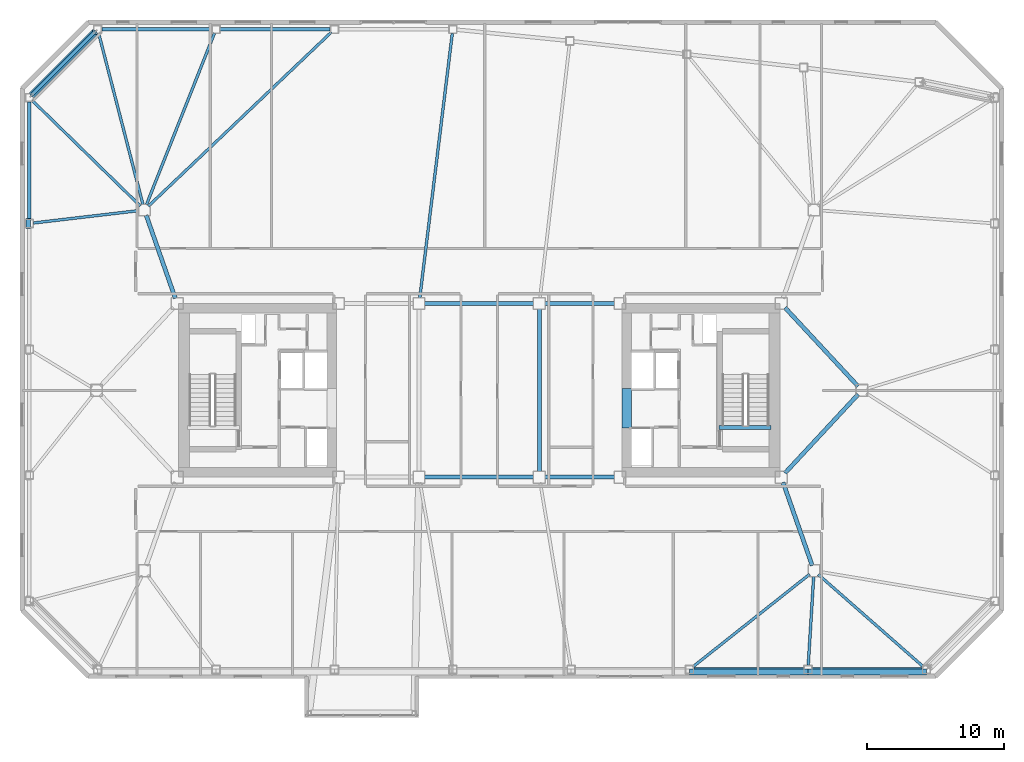
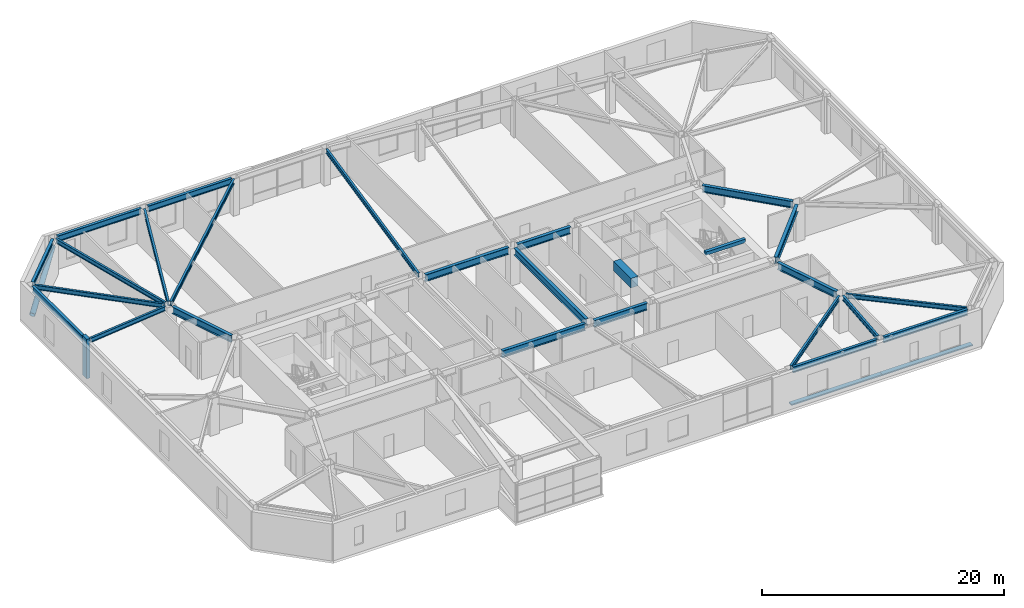
# One storey, part 6 of 19: 26 beams, 4 members.
"""IFC4 building model written with IfcOpenShell, lengths in metres."""

from ifc_helpers import new_model, si_unit, direction, frame, origin, origin_2d, place, context, subcontext, project, spatial, rectangle, hollow_circle, i_section, extrude, material, material_profile, profile_set, type_object, element, save


model = new_model("IFC4")

# Units and contexts
model_context = context("Model", 3, precision=1e-05, world=origin(), true_north=direction((0.0, 1.0)))
body_context = subcontext(model_context, "Body", "Model", "MODEL_VIEW")
ifc_project = project(units=[si_unit("LENGTHUNIT", "METRE"), si_unit("AREAUNIT", "SQUARE_METRE"), si_unit("VOLUMEUNIT", "CUBIC_METRE"), si_unit("PLANEANGLEUNIT", "RADIAN"), si_unit("MASSUNIT", "GRAM", prefix="KILO")], contexts=[model_context])

# Site, building, storey
site_placement = place(None, origin())
site = spatial("IfcSite", under=ifc_project, at=site_placement, CompositionType="ELEMENT")
building_placement = place(site_placement, origin())
building = spatial("IfcBuilding", under=site, at=building_placement, Name="Tavrogorsk Clinical Tower", CompositionType="ELEMENT")
storey_placement = place(building_placement, frame((0.0, 0.0, 156.199951171875)))
storey = spatial("IfcBuildingStorey", under=building, at=storey_placement, Name="L35", CompositionType="ELEMENT", Elevation=156.199951171875)

# Members
ifc_material_1 = material(Name="Anodised aluminium alloy AW-6063", Category="aluminium")
ifc_material_profile_1 = material_profile(ifc_material_1, rectangle(XDim=0.449951171875, YDim=0.1201171875, at=origin_2d()), Name="ALU-SUNSHADE-450x120")
ifc_profile_set_1 = profile_set([ifc_material_profile_1], Name="Anodised aluminium alloy AW-6063")
member_type_1 = type_object("IfcMemberType", Name="ChicagoSunshade_450x120", PredefinedType="USERDEFINED", material=ifc_profile_set_1)
for number, where, z_axis, x_axis, name in (
    (1, (15.394287109375, -20.60009765625, 0.179931640625), (1.0, 0.0, 0.0), (0.0, 1.0, 0.0), "L35 South Aluminium Sunshade S6"),
    (2, (24.05712890625, -20.60009765625, 0.179931640625), (1.0, 0.0, 0.0), (0.0, 1.0, 0.0), "L35 South Aluminium Sunshade S7"),
):
    element("IfcMember", number, at=place(storey_placement, frame(where, z_axis=z_axis, x_axis=x_axis)), inside=storey, type_object=member_type_1, Name=name, ObjectType="SUNSHADE", PredefinedType="USERDEFINED", context=body_context, shape_type="SweptSolid", body=[
        extrude(rectangle(XDim=0.449951171875, YDim=0.1201171875, at=origin_2d()), origin(), (0.0, 0.0, 1.0), 8.662841796875),
    ])

# Beam
ifc_material_2 = material(Name="Concrete B80", Category="concrete")
ifc_material_profile_2 = material_profile(ifc_material_2, rectangle(XDim=0.699951171875, YDim=0.949951171875, at=origin_2d()), Name="RC-CB-700x950")
ifc_profile_set_2 = profile_set([ifc_material_profile_2], Name="Concrete B80")
beam_type_1 = type_object("IfcBeamType", Name="CouplingBeam_RC700x950", PredefinedType="LINTEL", material=ifc_profile_set_2)
beam_1_placement = place(storey_placement, frame((10.800048828125, -2.75, 3.26513671875), z_axis=(0.0, 1.0, 0.0), x_axis=(-1.0, 0.0, 0.0)))
element("IfcBeam", 3, at=beam_1_placement, inside=storey, type_object=beam_type_1, Name="L35 Core East Coupling Beam", PredefinedType="LINTEL", context=body_context, shape_type="SweptSolid", body=[
    extrude(rectangle(XDim=0.699951171875, YDim=0.949951171875, at=origin_2d()), origin(), (0.0, 0.0, 1.0), 2.89990234375),
])

# Member
ifc_material_3 = material(Name="Structural steel S440", Category="steel")
ifc_material_profile_3 = material_profile(ifc_material_3, hollow_circle(Radius=0.25390625, WallThickness=0.02001953125, at=origin_2d()), Name="CHS-508x20")
ifc_profile_set_3 = profile_set([ifc_material_profile_3], Name="Structural steel S440")
member_type_2 = type_object("IfcMemberType", Name="ExoBrace_CHS508", PredefinedType="BRACE", material=ifc_profile_set_3)
member_1_placement = place(storey_placement, frame((-32.717529296875, 21.62255859375, 0.4130859375), z_axis=(0.657758524103, 0.657758524103, 0.367025132572), x_axis=(-0.707106781187, 0.707106781187, 0.0)))
element("IfcMember", 4, at=member_1_placement, inside=storey, type_object=member_type_2, Name="L35 Corner Exoskeleton Brace N8-W1", PredefinedType="BRACE", context=body_context, shape_type="SweptSolid", body=[
    extrude(hollow_circle(Radius=0.25390625, WallThickness=0.02001953125, at=origin_2d()), origin(), (0.0, 0.0, 1.0), 6.98583984375),
])

# Beams
ifc_material_4 = material(Name="Structural steel S355", Category="steel")
ifc_material_profile_4 = material_profile(ifc_material_4, i_section(OverallWidth=0.199951171875, OverallDepth=0.449951171875, WebThickness=0.011474609375, FlangeThickness=0.01806640625, at=origin_2d()), Name="B-450x200x11.5x18")
ifc_profile_set_4 = profile_set([ifc_material_profile_4], Name="Structural steel S355")
beam_type_2 = type_object("IfcBeamType", Name="FloorBeam_B450", PredefinedType="BEAM", material=ifc_profile_set_4)
beam_2_placement = place(storey_placement, frame((24.1787109375, -13.454833984375, 3.51513671875), z_axis=(-0.783566094727, -0.621308438052, 0.0), x_axis=(0.621308438052, -0.783566094727, 0.0)))
element("IfcBeam", 5, at=beam_2_placement, inside=storey, type_object=beam_type_2, Name="L35 Radial Floor Beam S6", PredefinedType="BEAM", context=body_context, shape_type="SweptSolid", body=[
    extrude(i_section(OverallWidth=0.199951171875, OverallDepth=0.449951171875, WebThickness=0.011474609375, FlangeThickness=0.01806640625, at=origin_2d()), origin(), (0.0, 0.0, 1.0), 10.902587890625),
])
beam_3_placement = place(storey_placement, frame((24.474853515625, -13.609130859375, 3.51513671875), z_axis=(-0.061225862048, -0.998123937102, 0.0), x_axis=(0.998123937102, -0.061225862048, 0.0)))
element("IfcBeam", 6, at=beam_3_placement, inside=storey, type_object=beam_type_2, Name="L35 Radial Floor Beam S7", PredefinedType="BEAM", context=body_context, shape_type="SweptSolid", body=[
    extrude(i_section(OverallWidth=0.199951171875, OverallDepth=0.449951171875, WebThickness=0.011474609375, FlangeThickness=0.01806640625, at=origin_2d()), origin(), (0.0, 0.0, 1.0), 6.515625),
])
beam_4_placement = place(storey_placement, frame((24.80810546875, -13.470458984375, 3.51513671875), z_axis=(0.751316315352, -0.659942265874, 0.0), x_axis=(0.659942265874, 0.751316315352, 0.0)))
element("IfcBeam", 7, at=beam_4_placement, inside=storey, type_object=beam_type_2, Name="L35 Radial Floor Beam S8", PredefinedType="BEAM", context=body_context, shape_type="SweptSolid", body=[
    extrude(i_section(OverallWidth=0.199951171875, OverallDepth=0.449951171875, WebThickness=0.011474609375, FlangeThickness=0.01806640625, at=origin_2d()), origin(), (0.0, 0.0, 1.0), 10.22265625),
])
beam_5_placement = place(storey_placement, frame((-4.349853515625, 6.7568359375, 3.51513671875), z_axis=(0.122074764034, 0.992520907581, 0.0), x_axis=(-0.992520907581, 0.122074764034, 0.0)))
element("IfcBeam", 8, at=beam_5_placement, inside=storey, type_object=beam_type_2, Name="L35 Radial Floor Beam N5", PredefinedType="BEAM", context=body_context, shape_type="SweptSolid", body=[
    extrude(i_section(OverallWidth=0.199951171875, OverallDepth=0.449951171875, WebThickness=0.011474609375, FlangeThickness=0.01806640625, at=origin_2d()), origin(), (0.0, 0.0, 1.0), 19.503173828125),
])
beam_6_placement = place(storey_placement, frame((-24.202880859375, 13.482421875, 3.51513671875), z_axis=(0.724746572965, 0.689015533189, 0.0), x_axis=(-0.689015533189, 0.724746572965, 0.0)))
element("IfcBeam", 9, at=beam_6_placement, inside=storey, type_object=beam_type_2, Name="L35 Radial Floor Beam N6", PredefinedType="BEAM", context=body_context, shape_type="SweptSolid", body=[
    extrude(i_section(OverallWidth=0.199951171875, OverallDepth=0.449951171875, WebThickness=0.011474609375, FlangeThickness=0.01806640625, at=origin_2d()), origin(), (0.0, 0.0, 1.0), 18.468994140625),
])
beam_7_placement = place(storey_placement, frame((-24.348876953125, 13.5810546875, 3.51513671875), z_axis=(0.368655349184, 0.929566153384, 0.0), x_axis=(-0.929566153384, 0.368655349184, 0.0)))
element("IfcBeam", 10, at=beam_7_placement, inside=storey, type_object=beam_type_2, Name="L35 Radial Floor Beam N7", PredefinedType="BEAM", context=body_context, shape_type="SweptSolid", body=[
    extrude(i_section(OverallWidth=0.199951171875, OverallDepth=0.449951171875, WebThickness=0.011474609375, FlangeThickness=0.01806640625, at=origin_2d()), origin(), (0.0, 0.0, 1.0), 13.50390625),
])
beam_8_placement = place(storey_placement, frame((-24.602783203125, 13.596923828125, 3.51513671875), z_axis=(-0.25044015559, 0.96813208214, 0.0), x_axis=(-0.96813208214, -0.25044015559, 0.0)))
element("IfcBeam", 11, at=beam_8_placement, inside=storey, type_object=beam_type_2, Name="L35 Radial Floor Beam N8", PredefinedType="BEAM", context=body_context, shape_type="SweptSolid", body=[
    extrude(i_section(OverallWidth=0.199951171875, OverallDepth=0.449951171875, WebThickness=0.011474609375, FlangeThickness=0.01806640625, at=origin_2d()), origin(), (0.0, 0.0, 1.0), 12.937255859375),
])
beam_9_placement = place(storey_placement, frame((-24.79345703125, 13.486328125, 3.51513671875), z_axis=(-0.715551590144, 0.698559891378, 0.0), x_axis=(-0.698559891378, -0.715551590144, 0.0)))
element("IfcBeam", 12, at=beam_9_placement, inside=storey, type_object=beam_type_2, Name="L35 Radial Floor Beam W1", PredefinedType="BEAM", context=body_context, shape_type="SweptSolid", body=[
    extrude(i_section(OverallWidth=0.199951171875, OverallDepth=0.449951171875, WebThickness=0.011474609375, FlangeThickness=0.01806640625, at=origin_2d()), origin(), (0.0, 0.0, 1.0), 11.049072265625),
])
beam_10_placement = place(storey_placement, frame((-24.9072265625, 13.152099609375, 3.51513671875), z_axis=(-0.993157045518, -0.116786484397, 0.0), x_axis=(0.116786484397, -0.993157045518, 0.0)))
element("IfcBeam", 13, at=beam_10_placement, inside=storey, type_object=beam_type_2, Name="L35 Radial Floor Beam W2", PredefinedType="BEAM", context=body_context, shape_type="SweptSolid", body=[
    extrude(i_section(OverallWidth=0.199951171875, OverallDepth=0.449951171875, WebThickness=0.011474609375, FlangeThickness=0.01806640625, at=origin_2d()), origin(), (0.0, 0.0, 1.0), 7.759765625),
])

# Member
ifc_material_5 = material(Name="Precast concrete B45 with limestone cladding", Category="masonry")
ifc_material_profile_5 = material_profile(ifc_material_5, rectangle(XDim=0.320068359375, YDim=0.719970703125, at=origin_2d()), Name="LIMESTONE-FIN-320x720")
ifc_profile_set_5 = profile_set([ifc_material_profile_5], Name="Precast concrete B45 with limestone cladding")
member_type_3 = type_object("IfcMemberType", Name="LimestonePleatFin_320x720", PredefinedType="USERDEFINED", material=ifc_profile_set_5)
member_2_placement = place(storey_placement, frame((-33.0, 12.2099609375, 0.0), z_axis=(0.0, 0.0, 1.0), x_axis=(1.0, 0.0, 0.0)))
element("IfcMember", 14, at=member_2_placement, inside=storey, type_object=member_type_3, Name="L35 W Pleated Stone Fin 1", ObjectType="FIN", PredefinedType="USERDEFINED", context=body_context, shape_type="SweptSolid", body=[
    extrude(rectangle(XDim=0.320068359375, YDim=0.719970703125, at=origin_2d()), origin(), (0.0, 0.0, 1.0), 4.0),
])

# Beams
ifc_material_6 = material(Name="Structural steel S390", Category="steel")
ifc_material_profile_6 = material_profile(ifc_material_6, i_section(OverallWidth=0.300048828125, OverallDepth=0.699951171875, WebThickness=0.01708984375, FlangeThickness=0.028076171875, at=origin_2d()), Name="B-700x300x17x28")
ifc_profile_set_6 = profile_set([ifc_material_profile_6], Name="Structural steel S390")
beam_type_3 = type_object("IfcBeamType", Name="PrimaryGirder_B700", PredefinedType="USERDEFINED", material=ifc_profile_set_6)
for number, where, z_axis, x_axis, name in (
    (15, (-3.989990234375, -6.35009765625, 3.39013671875), (1.0, 0.0, 0.0), (0.0, 1.0, 0.0), "L35 Primary Spine Girder MG-03"),
    (16, (-3.989990234375, 6.35009765625, 3.39013671875), (1.0, 0.0, 0.0), (0.0, 1.0, 0.0), "L35 Primary Spine Girder MG-04"),
):
    element("IfcBeam", number, at=place(storey_placement, frame(where, z_axis=z_axis, x_axis=x_axis)), inside=storey, type_object=beam_type_3, Name=name, ObjectType="GIRDER", PredefinedType="USERDEFINED", context=body_context, shape_type="SweptSolid", body=[
        extrude(i_section(OverallWidth=0.300048828125, OverallDepth=0.699951171875, WebThickness=0.01708984375, FlangeThickness=0.028076171875, at=origin_2d()), origin(), (0.0, 0.0, 1.0), 7.97998046875),
    ])
for number, where, z_axis, x_axis, name in (
    (17, (4.81005859375, -6.35009765625, 3.39013671875), (1.0, 0.0, 0.0), (0.0, 1.0, 0.0), "L35 Primary Spine Girder MG-05"),
    (18, (4.81005859375, 6.35009765625, 3.39013671875), (1.0, 0.0, 0.0), (0.0, 1.0, 0.0), "L35 Primary Spine Girder MG-06"),
):
    element("IfcBeam", number, at=place(storey_placement, frame(where, z_axis=z_axis, x_axis=x_axis)), inside=storey, type_object=beam_type_3, Name=name, ObjectType="GIRDER", PredefinedType="USERDEFINED", context=body_context, shape_type="SweptSolid", body=[
        extrude(i_section(OverallWidth=0.300048828125, OverallDepth=0.699951171875, WebThickness=0.01708984375, FlangeThickness=0.028076171875, at=origin_2d()), origin(), (0.0, 0.0, 1.0), 5.079833984375),
    ])
beam_11_placement = place(storey_placement, frame((4.39990234375, -5.93994140625, 3.39013671875), z_axis=(0.0, 1.0, 0.0), x_axis=(-1.0, 0.0, 0.0)))
element("IfcBeam", 19, at=beam_11_placement, inside=storey, type_object=beam_type_3, Name="L35 Primary Spine Girder MG-08", ObjectType="GIRDER", PredefinedType="USERDEFINED", context=body_context, shape_type="SweptSolid", body=[
    extrude(i_section(OverallWidth=0.300048828125, OverallDepth=0.699951171875, WebThickness=0.01708984375, FlangeThickness=0.028076171875, at=origin_2d()), origin(), (0.0, 0.0, 1.0), 11.8798828125),
])
for number, where, z_axis, x_axis, name in (
    (20, (24.364501953125, -12.81298828125, 3.39013671875), (-0.330673031392, 0.94374538214, 0.0), (-0.94374538214, -0.330673031392, 0.0), "L35 Spine Link Girder OPG-2"),
    (21, (-24.364501953125, 12.81298828125, 3.39013671875), (0.330673031392, -0.94374538214, 0.0), (0.94374538214, 0.330673031392, 0.0), "L35 Spine Link Girder OPG-3"),
):
    element("IfcBeam", number, at=place(storey_placement, frame(where, z_axis=z_axis, x_axis=x_axis)), inside=storey, type_object=beam_type_3, Name=name, ObjectType="GIRDER", PredefinedType="USERDEFINED", context=body_context, shape_type="SweptSolid", body=[
        extrude(i_section(OverallWidth=0.300048828125, OverallDepth=0.699951171875, WebThickness=0.01708984375, FlangeThickness=0.028076171875, at=origin_2d()), origin(), (0.0, 0.0, 1.0), 6.43798828125),
    ])
for number, where, z_axis, x_axis, name in (
    (22, (27.720947265625, -0.30029296875, 3.39013671875), (-0.680669430215, -0.732590695253, 0.0), (0.732590695253, -0.680669430215, 0.0), "L35 Spine Link Girder OPG-7"),
    (23, (27.720947265625, 0.30029296875, 3.39013671875), (-0.680669430215, 0.732590695253, 0.0), (-0.732590695253, -0.680669430215, 0.0), "L35 Spine Link Girder OPG-8"),
):
    element("IfcBeam", number, at=place(storey_placement, frame(where, z_axis=z_axis, x_axis=x_axis)), inside=storey, type_object=beam_type_3, Name=name, ObjectType="GIRDER", PredefinedType="USERDEFINED", context=body_context, shape_type="SweptSolid", body=[
        extrude(i_section(OverallWidth=0.300048828125, OverallDepth=0.699951171875, WebThickness=0.01708984375, FlangeThickness=0.028076171875, at=origin_2d()), origin(), (0.0, 0.0, 1.0), 7.847900390625),
    ])
ifc_material_7 = material(Name="Structural steel S390", Category="steel")
ifc_material_profile_7 = material_profile(ifc_material_7, i_section(OverallWidth=0.260009765625, OverallDepth=0.60009765625, WebThickness=0.014892578125, FlangeThickness=0.02392578125, at=origin_2d()), Name="B-600x260x15x24")
ifc_profile_set_7 = profile_set([ifc_material_profile_7], Name="Structural steel S390")
beam_type_4 = type_object("IfcBeamType", Name="SpandrelBeam_B600", PredefinedType="SPANDREL", material=ifc_profile_set_7)
beam_12_placement = place(storey_placement, frame((15.702392578125, -20.419921875, 3.43994140625), z_axis=(1.0, 0.0, 0.0), x_axis=(0.0, 1.0, 0.0)))
element("IfcBeam", 24, at=beam_12_placement, inside=storey, type_object=beam_type_4, Name="L35 Perimeter Spandrel S6-S7", PredefinedType="SPANDREL", context=body_context, shape_type="SweptSolid", body=[
    extrude(i_section(OverallWidth=0.260009765625, OverallDepth=0.60009765625, WebThickness=0.014892578125, FlangeThickness=0.02392578125, at=origin_2d()), origin(), (0.0, 0.0, 1.0), 8.046630859375),
])
beam_13_placement = place(storey_placement, frame((24.364990234375, -20.419921875, 3.43994140625), z_axis=(1.0, 0.0, 0.0), x_axis=(0.0, 1.0, 0.0)))
element("IfcBeam", 25, at=beam_13_placement, inside=storey, type_object=beam_type_4, Name="L35 Perimeter Spandrel S7-S8", PredefinedType="SPANDREL", context=body_context, shape_type="SweptSolid", body=[
    extrude(i_section(OverallWidth=0.260009765625, OverallDepth=0.60009765625, WebThickness=0.014892578125, FlangeThickness=0.02392578125, at=origin_2d()), origin(), (0.0, 0.0, 1.0), 8.047119140625),
])
for number, where, z_axis, x_axis, name in (
    (26, (-10.90234375, 26.419921875, 3.43994140625), (-1.0, 0.0, 0.0), (0.0, -1.0, 0.0), "L35 Perimeter Spandrel N6-N7"),
    (27, (-19.565185546875, 26.419921875, 3.43994140625), (-1.0, 0.0, 0.0), (0.0, -1.0, 0.0), "L35 Perimeter Spandrel N7-N8"),
):
    element("IfcBeam", number, at=place(storey_placement, frame(where, z_axis=z_axis, x_axis=x_axis)), inside=storey, type_object=beam_type_4, Name=name, PredefinedType="SPANDREL", context=body_context, shape_type="SweptSolid", body=[
        extrude(i_section(OverallWidth=0.260009765625, OverallDepth=0.60009765625, WebThickness=0.014892578125, FlangeThickness=0.02392578125, at=origin_2d()), origin(), (0.0, 0.0, 1.0), 8.046875),
    ])
beam_14_placement = place(storey_placement, frame((-28.1376953125, 26.2021484375, 3.43994140625), z_axis=(-0.707106781187, -0.707106781187, 0.0), x_axis=(0.707106781187, -0.707106781187, 0.0)))
element("IfcBeam", 28, at=beam_14_placement, inside=storey, type_object=beam_type_4, Name="L35 Perimeter Spandrel N8-W1", PredefinedType="SPANDREL", context=body_context, shape_type="SweptSolid", body=[
    extrude(i_section(OverallWidth=0.260009765625, OverallDepth=0.60009765625, WebThickness=0.014892578125, FlangeThickness=0.02392578125, at=origin_2d()), origin(), (0.0, 0.0, 1.0), 6.455078125),
])
beam_15_placement = place(storey_placement, frame((-32.919921875, 21.112060546875, 3.43994140625), z_axis=(0.0, -1.0, 0.0), x_axis=(1.0, 0.0, 0.0)))
element("IfcBeam", 29, at=beam_15_placement, inside=storey, type_object=beam_type_4, Name="L35 Perimeter Spandrel W1-W2", PredefinedType="SPANDREL", context=body_context, shape_type="SweptSolid", body=[
    extrude(i_section(OverallWidth=0.260009765625, OverallDepth=0.60009765625, WebThickness=0.014892578125, FlangeThickness=0.02392578125, at=origin_2d()), origin(), (0.0, 0.0, 1.0), 8.593994140625),
])
ifc_material_8 = material(Name="Concrete B60", Category="concrete")
ifc_material_profile_8 = material_profile(ifc_material_8, rectangle(XDim=0.300048828125, YDim=0.35009765625, at=origin_2d()), Name="RC-SHB-300x350")
ifc_profile_set_8 = profile_set([ifc_material_profile_8], Name="Concrete B60")
beam_type_5 = type_object("IfcBeamType", Name="StairHeaderBeam_RC300x350", PredefinedType="BEAM", material=ifc_profile_set_8)
beam_16_placement = place(storey_placement, frame((17.550048828125, -2.719970703125, 3.824951171875), z_axis=(1.0, 0.0, 0.0), x_axis=(0.0, 1.0, 0.0)))
element("IfcBeam", 30, at=beam_16_placement, inside=storey, type_object=beam_type_5, Name="L36 ST-E Landing Header Beam", PredefinedType="BEAM", context=body_context, shape_type="SweptSolid", body=[
    extrude(rectangle(XDim=0.300048828125, YDim=0.35009765625, at=origin_2d()), origin(), (0.0, 0.0, 1.0), 3.800048828125),
])

save(model, "model.ifc")
